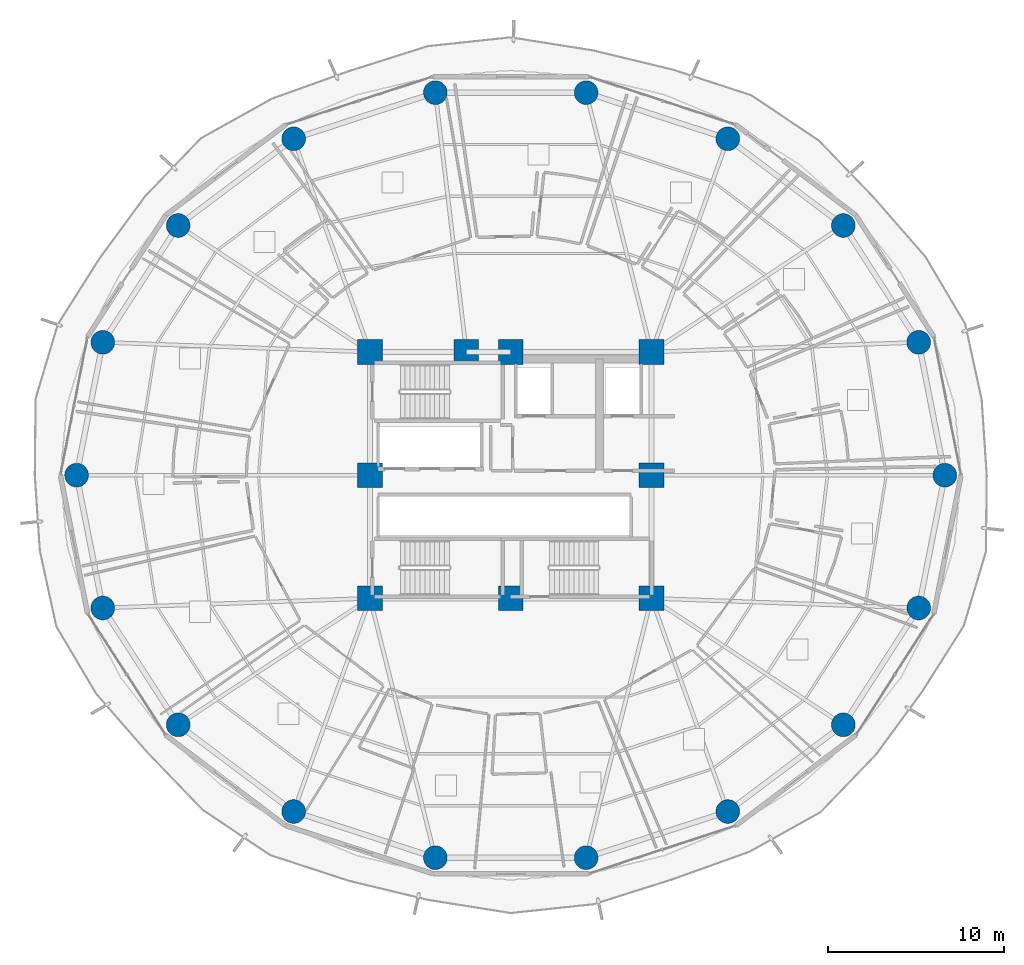
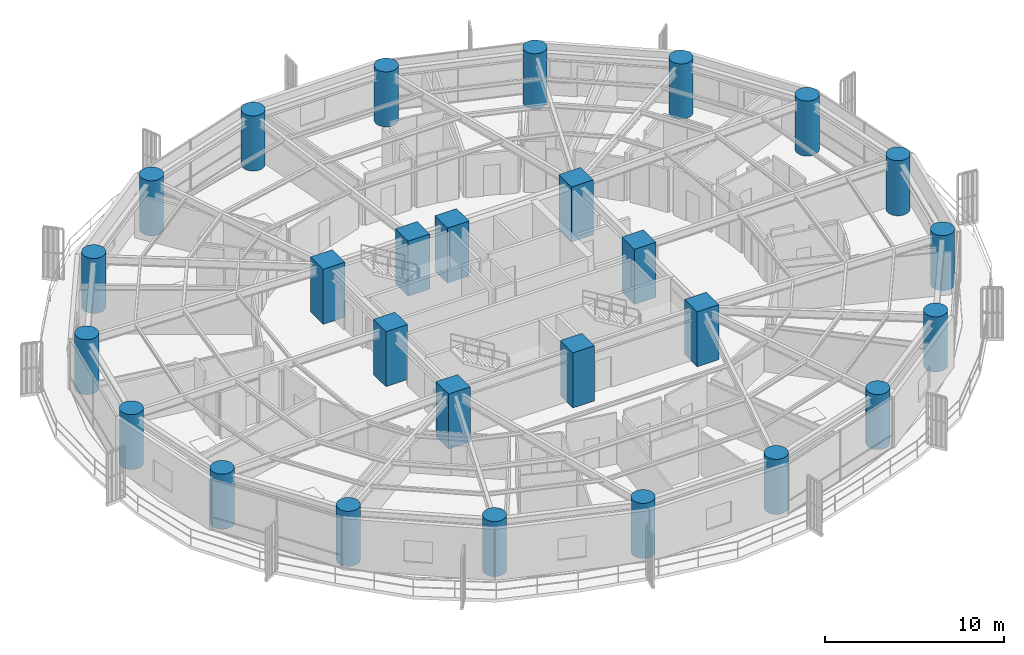
# One storey, part 1 of 35: 27 columns.
"""IFC4 building model written with IfcOpenShell, lengths in metres."""

from ifc_helpers import new_model, si_unit, direction, frame, origin, origin_2d, place, context, subcontext, project, spatial, rectangle, circle, extrude, material, material_profile, profile_set, type_object, element, save


model = new_model("IFC4")

# Units and contexts
model_context = context("Model", 3, precision=1e-05, world=origin(), true_north=direction((0.0, 1.0)))
body_context = subcontext(model_context, "Body", "Model", "MODEL_VIEW")
ifc_project = project(units=[si_unit("LENGTHUNIT", "METRE"), si_unit("AREAUNIT", "SQUARE_METRE"), si_unit("VOLUMEUNIT", "CUBIC_METRE"), si_unit("PLANEANGLEUNIT", "RADIAN"), si_unit("MASSUNIT", "GRAM", prefix="KILO")], contexts=[model_context])

# Site, building, storey
site_placement = place(None, origin())
site = spatial("IfcSite", under=ifc_project, at=site_placement, CompositionType="ELEMENT")
building_placement = place(site_placement, origin())
building = spatial("IfcBuilding", under=site, at=building_placement, Name="Kelanora Arch Commons", CompositionType="ELEMENT")
storey_placement = place(building_placement, frame((0.0, 0.0, 95.10009765625)))
storey = spatial("IfcBuildingStorey", under=building, at=storey_placement, Name="L24", CompositionType="ELEMENT", Elevation=95.10009765625)

# Columns
ifc_material = material(Name="Concrete C60/75", Category="concrete")
ifc_material_profile_1 = material_profile(ifc_material, circle(Radius=0.675048828125, at=origin_2d()), Name="RCC1350")
ifc_profile_set_1 = profile_set([ifc_material_profile_1], Name="Concrete C60/75")
column_type_1 = type_object("IfcColumnType", Name="COL-PERIM-Z2", PredefinedType="COLUMN", material=ifc_profile_set_1)
for number, where, z_axis, x_axis, name in (
    (1, (98.679931640625, 58.0, 0.0), (0.0, 0.0, 1.0), (1.0, 0.0, 0.0), "Perimeter Ring Column CP-00 L24"),
    (2, (97.191650390625, 65.5517578125, 0.0), (0.0, 0.0, 1.0), (1.0, 0.0, 0.0), "Perimeter Ring Column CP-02 L24"),
    (3, (92.906005859375, 72.19287109375, 0.0), (0.0, 0.0, 1.0), (1.0, 0.0, 0.0), "Perimeter Ring Column CP-04 L24"),
    (4, (86.340087890625, 77.121826171875, 0.0), (0.0, 0.0, 1.0), (1.0, 0.0, 0.0), "Perimeter Ring Column CP-06 L24"),
    (5, (78.28564453125, 79.74462890625, 0.0), (0.0, 0.0, 1.0), (1.0, 0.0, 0.0), "Perimeter Ring Column CP-08 L24"),
    (6, (69.71435546875, 79.74462890625, 0.0), (0.0, 0.0, 1.0), (1.0, 0.0, 0.0), "Perimeter Ring Column CP-10 L24"),
    (7, (61.659912109375, 77.121826171875, 0.0), (0.0, 0.0, 1.0), (1.0, 0.0, 0.0), "Perimeter Ring Column CP-12 L24"),
    (8, (55.093994140625, 72.19287109375, 0.0), (0.0, 0.0, 1.0), (1.0, 0.0, 0.0), "Perimeter Ring Column CP-14 L24"),
    (9, (50.808349609375, 65.5517578125, 0.0), (0.0, 0.0, 1.0), (1.0, 0.0, 0.0), "Perimeter Ring Column CP-16 L24"),
    (10, (49.320068359375, 58.0, 0.0), (0.0, 0.0, 1.0), (1.0, 0.0, 0.0), "Perimeter Ring Column CP-18 L24"),
    (11, (50.808349609375, 50.4482421875, 0.0), (0.0, 0.0, 1.0), (1.0, 0.0, 0.0), "Perimeter Ring Column CP-20 L24"),
    (12, (55.093994140625, 43.80712890625, 0.0), (0.0, 0.0, 1.0), (1.0, 0.0, 0.0), "Perimeter Ring Column CP-22 L24"),
    (13, (61.659912109375, 38.878173828125, 0.0), (0.0, 0.0, 1.0), (1.0, 0.0, 0.0), "Perimeter Ring Column CP-24 L24"),
    (14, (69.71435546875, 36.25537109375, 0.0), (0.0, 0.0, 1.0), (1.0, 0.0, 0.0), "Perimeter Ring Column CP-26 L24"),
    (15, (78.28564453125, 36.25537109375, 0.0), (0.0, 0.0, 1.0), (1.0, 0.0, 0.0), "Perimeter Ring Column CP-28 L24"),
    (16, (86.340087890625, 38.878173828125, 0.0), (0.0, 0.0, 1.0), (1.0, 0.0, 0.0), "Perimeter Ring Column CP-30 L24"),
    (17, (92.906005859375, 43.80712890625, 0.0), (0.0, 0.0, 1.0), (1.0, 0.0, 0.0), "Perimeter Ring Column CP-32 L24"),
    (18, (97.191650390625, 50.4482421875, 0.0), (0.0, 0.0, 1.0), (1.0, 0.0, 0.0), "Perimeter Ring Column CP-34 L24"),
):
    element("IfcColumn", number, at=place(storey_placement, frame(where, z_axis=z_axis, x_axis=x_axis)), inside=storey, type_object=column_type_1, Name=name, PredefinedType="COLUMN", context=body_context, shape_type="SweptSolid", body=[
        extrude(circle(Radius=0.675048828125, at=origin_2d()), origin(), (0.0, 0.0, 1.0), 3.75),
    ])
ifc_material_profile_2 = material_profile(ifc_material, rectangle(XDim=1.39990234375, YDim=1.39990234375, at=origin_2d()), Name="RC1400x1400")
ifc_profile_set_2 = profile_set([ifc_material_profile_2], Name="Concrete C60/75")
column_type_2 = type_object("IfcColumnType", Name="COL-PIL-LOW", PredefinedType="PILASTER", material=ifc_profile_set_2)
for number, where, z_axis, x_axis, name in (
    (19, (66.0, 51.0, 0.0), (0.0, 0.0, 1.0), (1.0, 0.0, 0.0), "Core Pilaster Column CP1 L24"),
    (20, (74.0, 51.0, 0.0), (0.0, 0.0, 1.0), (1.0, 0.0, 0.0), "Core Pilaster Column CP2 L24"),
    (21, (82.0, 51.0, 0.0), (0.0, 0.0, 1.0), (1.0, 0.0, 0.0), "Core Pilaster Column CP3 L24"),
    (22, (82.0, 58.0, 0.0), (0.0, 0.0, 1.0), (1.0, 0.0, 0.0), "Core Pilaster Column CP4 L24"),
    (23, (82.0, 65.0, 0.0), (0.0, 0.0, 1.0), (1.0, 0.0, 0.0), "Core Pilaster Column CP5 L24"),
    (24, (74.0, 65.0, 0.0), (0.0, 0.0, 1.0), (1.0, 0.0, 0.0), "Core Pilaster Column CP6 L24"),
    (25, (71.47998046875, 65.0, 0.0), (0.0, 0.0, 1.0), (1.0, 0.0, 0.0), "Core Pilaster Column CP9 L24"),
    (26, (66.0, 65.0, 0.0), (0.0, 0.0, 1.0), (1.0, 0.0, 0.0), "Core Pilaster Column CP7 L24"),
    (27, (66.0, 58.0, 0.0), (0.0, 0.0, 1.0), (1.0, 0.0, 0.0), "Core Pilaster Column CP8 L24"),
):
    element("IfcColumn", number, at=place(storey_placement, frame(where, z_axis=z_axis, x_axis=x_axis)), inside=storey, type_object=column_type_2, Name=name, PredefinedType="PILASTER", context=body_context, shape_type="SweptSolid", body=[
        extrude(rectangle(XDim=1.39990234375, YDim=1.39990234375, at=origin_2d()), origin(), (0.0, 0.0, 1.0), 3.75),
    ])

save(model, "model.ifc")
